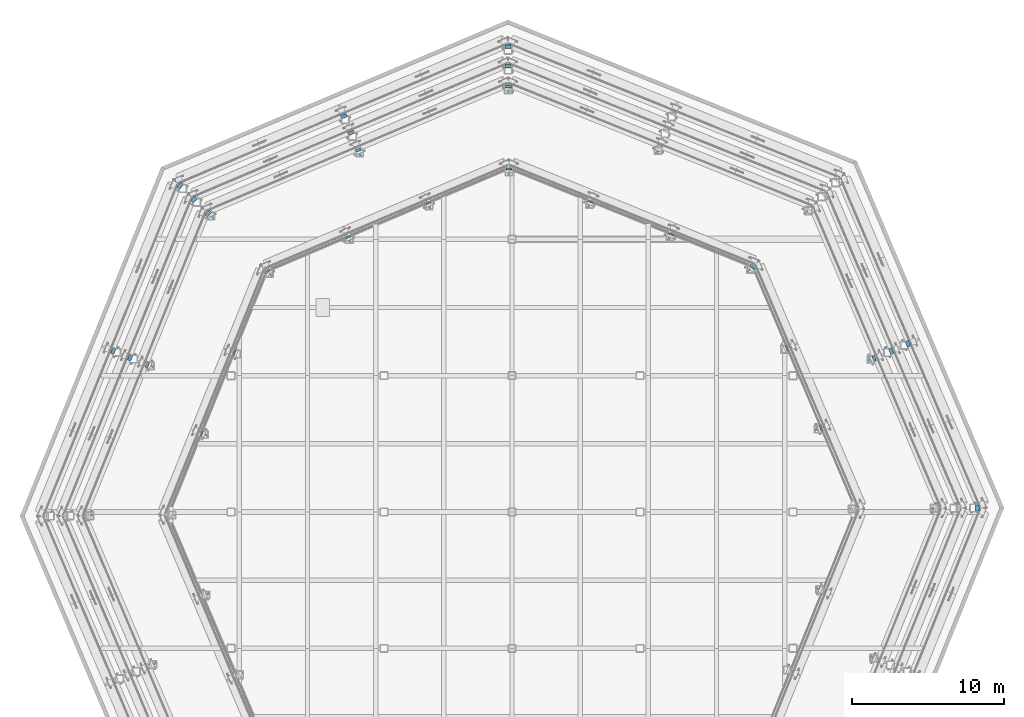
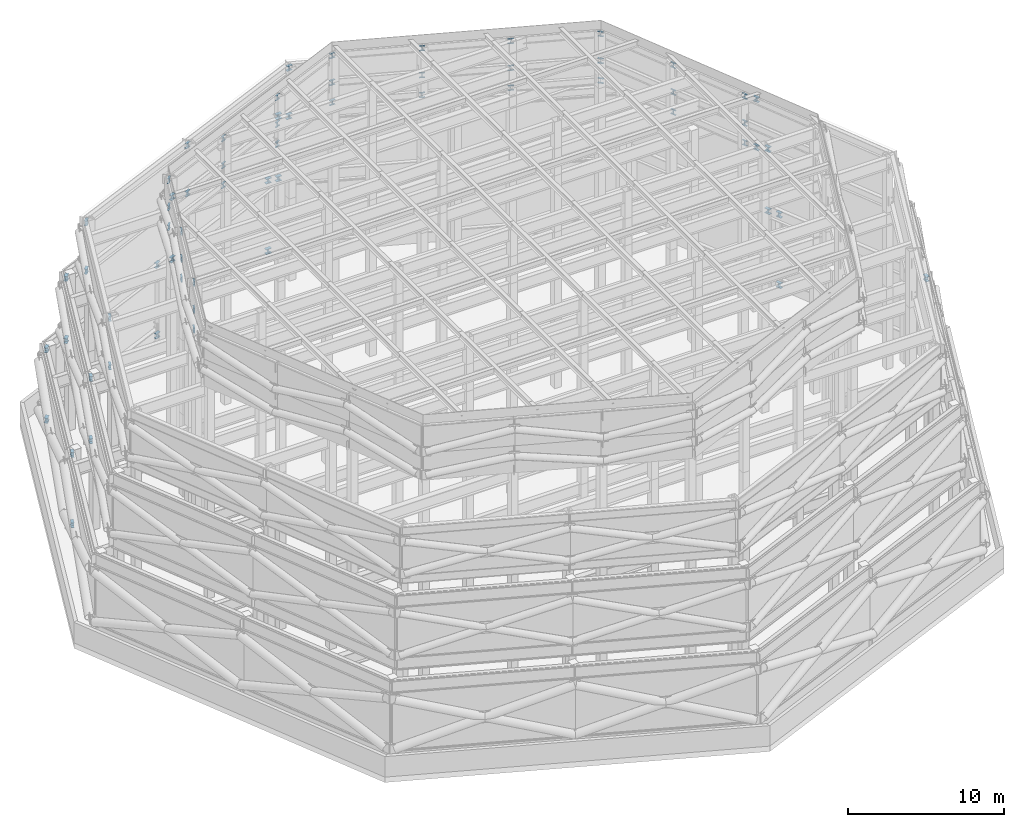
# One storey, part 15 of 19: 64 members.
"""IFC4 building model written with IfcOpenShell, lengths in metres."""

from ifc_helpers import new_model, si_unit, direction, frame, origin, origin_2d, place, context, subcontext, project, spatial, i_section, extrude, material, material_profile, profile_set, type_object, element, save


model = new_model("IFC4")

# Units and contexts
model_context = context("Model", 3, precision=1e-05, world=origin(), true_north=direction((0.0, 1.0)))
body_context = subcontext(model_context, "Body", "Model", "MODEL_VIEW")
ifc_project = project(units=[si_unit("LENGTHUNIT", "METRE"), si_unit("AREAUNIT", "SQUARE_METRE"), si_unit("VOLUMEUNIT", "CUBIC_METRE"), si_unit("PLANEANGLEUNIT", "RADIAN"), si_unit("MASSUNIT", "GRAM", prefix="KILO")], contexts=[model_context])

# Site, building, storey
site_placement = place(None, origin())
site = spatial("IfcSite", under=ifc_project, at=site_placement, CompositionType="ELEMENT")
building_placement = place(site_placement, origin())
building = spatial("IfcBuilding", under=site, at=building_placement, Name="Orlundy Tower", CompositionType="ELEMENT")
storey_placement = place(building_placement, frame((0.0, 0.0, 304.300048828125)))
storey = spatial("IfcBuildingStorey", under=building, at=storey_placement, Name="Roof", CompositionType="ELEMENT", Elevation=304.300048828125)

# Members
ifc_material = material(Name="Steel ASTM A992 Gr 50", Category="steel")
ifc_material_profile = material_profile(ifc_material, i_section(OverallWidth=0.39892578125, OverallDepth=0.393310546875, WebThickness=0.022705078125, FlangeThickness=0.03662109375, at=origin_2d()), Name="W14X193")
ifc_profile_set = profile_set([ifc_material_profile], Name="Steel ASTM A992 Gr 50")
member_type = type_object("IfcMemberType", Name="CROWN FRAME strut W14X193", PredefinedType="STRUT", material=ifc_profile_set)
member_1_placement = place(storey_placement, frame((-0.26708984375, 30.5908203125, 0.533935546875), z_axis=(-0.009026713466, 0.999959258392, 0.0), x_axis=(-0.999959258392, -0.009026713466, 0.0)))
element("IfcMember", 1, at=member_1_placement, inside=storey, type_object=member_type, Name="CROWN FRAME foot ring connector 1-03", PredefinedType="STRUT", context=body_context, shape_type="SweptSolid", body=[
    extrude(i_section(OverallWidth=0.39892578125, OverallDepth=0.393310546875, WebThickness=0.022705078125, FlangeThickness=0.03662109375, at=origin_2d()), origin(), (0.0, 0.0, 1.0), 0.243408203125),
])
member_2_placement = place(storey_placement, frame((-11.04736328125, 26.025390625, 0.533935546875), z_axis=(-0.390083856473, 0.920779335628, 0.0), x_axis=(-0.920779335628, -0.390083856473, 0.0)))
element("IfcMember", 2, at=member_2_placement, inside=storey, type_object=member_type, Name="CROWN FRAME foot ring connector 1-04", PredefinedType="STRUT", context=body_context, shape_type="SweptSolid", body=[
    extrude(i_section(OverallWidth=0.39892578125, OverallDepth=0.393310546875, WebThickness=0.022705078125, FlangeThickness=0.03662109375, at=origin_2d()), origin(), (0.0, 0.0, 1.0), 0.21533203125),
])
member_3_placement = place(storey_placement, frame((-21.81982421875, 21.442138671875, 0.533935546875), z_axis=(-0.713591298906, 0.700562244291, 0.0), x_axis=(-0.700562244291, -0.713591298906, 0.0)))
element("IfcMember", 3, at=member_3_placement, inside=storey, type_object=member_type, Name="CROWN FRAME foot ring connector 1-05", PredefinedType="STRUT", context=body_context, shape_type="SweptSolid", body=[
    extrude(i_section(OverallWidth=0.39892578125, OverallDepth=0.393310546875, WebThickness=0.022705078125, FlangeThickness=0.03662109375, at=origin_2d()), origin(), (0.0, 0.0, 1.0), 0.24365234375),
])
for number, where, z_axis, x_axis, name in (
    (4, (-26.21435546875, 10.591064453125, 0.533935546875), (-0.926984343813, 0.375100021763, 0.0), (-0.375100021763, -0.926984343813, 0.0), "CROWN FRAME foot ring connector 1-06"),
    (5, (26.025390625, 11.04736328125, 0.533935546875), (0.920779335628, 0.390083856473, 0.0), (-0.390083856473, 0.920779335628, 0.0), "CROWN FRAME foot ring connector 1-16"),
):
    element("IfcMember", number, at=place(storey_placement, frame(where, z_axis=z_axis, x_axis=x_axis)), inside=storey, type_object=member_type, Name=name, PredefinedType="STRUT", context=body_context, shape_type="SweptSolid", body=[
        extrude(i_section(OverallWidth=0.39892578125, OverallDepth=0.393310546875, WebThickness=0.022705078125, FlangeThickness=0.03662109375, at=origin_2d()), origin(), (0.0, 0.0, 1.0), 0.21533203125),
    ])
member_4_placement = place(storey_placement, frame((-0.26708984375, 30.5908203125, 6.0263671875), z_axis=(-0.008892928967, 0.999960457125, 0.0), x_axis=(-0.999960457125, -0.008892928967, 0.0)))
element("IfcMember", 6, at=member_4_placement, inside=storey, type_object=member_type, Name="CROWN FRAME head ring connector 1-03", PredefinedType="STRUT", context=body_context, shape_type="SweptSolid", body=[
    extrude(i_section(OverallWidth=0.39892578125, OverallDepth=0.393310546875, WebThickness=0.022705078125, FlangeThickness=0.03662109375, at=origin_2d()), origin(), (0.0, 0.0, 1.0), 0.2470703125),
])
member_5_placement = place(storey_placement, frame((-11.04736328125, 26.025390625, 6.0263671875), z_axis=(-0.390951409585, 0.920411318566, 0.0), x_axis=(-0.920411318566, -0.390951409585, 0.0)))
element("IfcMember", 7, at=member_5_placement, inside=storey, type_object=member_type, Name="CROWN FRAME head ring connector 1-04", PredefinedType="STRUT", context=body_context, shape_type="SweptSolid", body=[
    extrude(i_section(OverallWidth=0.39892578125, OverallDepth=0.393310546875, WebThickness=0.022705078125, FlangeThickness=0.03662109375, at=origin_2d()), origin(), (0.0, 0.0, 1.0), 0.218505859375),
])
member_6_placement = place(storey_placement, frame((-21.81982421875, 21.442138671875, 6.0263671875), z_axis=(-0.713501090802, 0.700654118253, 0.0), x_axis=(-0.700654118253, -0.713501090802, 0.0)))
element("IfcMember", 8, at=member_6_placement, inside=storey, type_object=member_type, Name="CROWN FRAME head ring connector 1-05", PredefinedType="STRUT", context=body_context, shape_type="SweptSolid", body=[
    extrude(i_section(OverallWidth=0.39892578125, OverallDepth=0.393310546875, WebThickness=0.022705078125, FlangeThickness=0.03662109375, at=origin_2d()), origin(), (0.0, 0.0, 1.0), 0.2470703125),
])
member_7_placement = place(storey_placement, frame((-26.21435546875, 10.591064453125, 6.0263671875), z_axis=(-0.92692831694, 0.375238451195, 0.0), x_axis=(-0.375238451195, -0.92692831694, 0.0)))
element("IfcMember", 9, at=member_7_placement, inside=storey, type_object=member_type, Name="CROWN FRAME head ring connector 1-06", PredefinedType="STRUT", context=body_context, shape_type="SweptSolid", body=[
    extrude(i_section(OverallWidth=0.39892578125, OverallDepth=0.393310546875, WebThickness=0.022705078125, FlangeThickness=0.03662109375, at=origin_2d()), origin(), (0.0, 0.0, 1.0), 0.218505859375),
])
member_8_placement = place(storey_placement, frame((30.5908203125, 0.26708984375, 6.0263671875), z_axis=(0.999960457125, 0.008892928967, 0.0), x_axis=(-0.008892928967, 0.999960457125, 0.0)))
element("IfcMember", 10, at=member_8_placement, inside=storey, type_object=member_type, Name="CROWN FRAME head ring connector 1-15", PredefinedType="STRUT", context=body_context, shape_type="SweptSolid", body=[
    extrude(i_section(OverallWidth=0.39892578125, OverallDepth=0.393310546875, WebThickness=0.022705078125, FlangeThickness=0.03662109375, at=origin_2d()), origin(), (0.0, 0.0, 1.0), 0.2470703125),
])
member_9_placement = place(storey_placement, frame((26.025390625, 11.04736328125, 6.0263671875), z_axis=(0.920411318566, 0.390951409585, 0.0), x_axis=(-0.390951409585, 0.920411318566, 0.0)))
element("IfcMember", 11, at=member_9_placement, inside=storey, type_object=member_type, Name="CROWN FRAME head ring connector 1-16", PredefinedType="STRUT", context=body_context, shape_type="SweptSolid", body=[
    extrude(i_section(OverallWidth=0.39892578125, OverallDepth=0.393310546875, WebThickness=0.022705078125, FlangeThickness=0.03662109375, at=origin_2d()), origin(), (0.0, 0.0, 1.0), 0.218505859375),
])
member_10_placement = place(storey_placement, frame((-0.255859375, 29.2919921875, 6.9736328125), z_axis=(-0.007904891351, 0.999968755858, 0.0), x_axis=(-0.999968755858, -0.007904891351, 0.0)))
element("IfcMember", 12, at=member_10_placement, inside=storey, type_object=member_type, Name="CROWN FRAME foot ring connector 2-03", PredefinedType="STRUT", context=body_context, shape_type="SweptSolid", body=[
    extrude(i_section(OverallWidth=0.39892578125, OverallDepth=0.393310546875, WebThickness=0.022705078125, FlangeThickness=0.03662109375, at=origin_2d()), origin(), (0.0, 0.0, 1.0), 0.2470703125),
])
member_11_placement = place(storey_placement, frame((-10.578369140625, 24.9208984375, 6.9736328125), z_axis=(-0.391353724227, 0.920240328682, 0.0), x_axis=(-0.920240328682, -0.391353724227, 0.0)))
element("IfcMember", 13, at=member_11_placement, inside=storey, type_object=member_type, Name="CROWN FRAME foot ring connector 2-04", PredefinedType="STRUT", context=body_context, shape_type="SweptSolid", body=[
    extrude(i_section(OverallWidth=0.39892578125, OverallDepth=0.393310546875, WebThickness=0.022705078125, FlangeThickness=0.03662109375, at=origin_2d()), origin(), (0.0, 0.0, 1.0), 0.21826171875),
])
member_12_placement = place(storey_placement, frame((-20.8935546875, 20.53173828125, 6.9736328125), z_axis=(-0.713015439878, 0.701148331308, 0.0), x_axis=(-0.701148331308, -0.713015439878, 0.0)))
element("IfcMember", 14, at=member_12_placement, inside=storey, type_object=member_type, Name="CROWN FRAME foot ring connector 2-05", PredefinedType="STRUT", context=body_context, shape_type="SweptSolid", body=[
    extrude(i_section(OverallWidth=0.39892578125, OverallDepth=0.393310546875, WebThickness=0.022705078125, FlangeThickness=0.03662109375, at=origin_2d()), origin(), (0.0, 0.0, 1.0), 0.246826171875),
])
for number, where, z_axis, x_axis, name in (
    (15, (-25.101806640625, 10.1416015625, 6.9736328125), (-0.927159667868, 0.374666452033, 0.0), (-0.374666452033, -0.927159667868, 0.0), "CROWN FRAME foot ring connector 2-06"),
    (16, (24.9208984375, 10.578369140625, 6.9736328125), (0.920240328682, 0.391353724227, 0.0), (-0.391353724227, 0.920240328682, 0.0), "CROWN FRAME foot ring connector 2-16"),
):
    element("IfcMember", number, at=place(storey_placement, frame(where, z_axis=z_axis, x_axis=x_axis)), inside=storey, type_object=member_type, Name=name, PredefinedType="STRUT", context=body_context, shape_type="SweptSolid", body=[
        extrude(i_section(OverallWidth=0.39892578125, OverallDepth=0.393310546875, WebThickness=0.022705078125, FlangeThickness=0.03662109375, at=origin_2d()), origin(), (0.0, 0.0, 1.0), 0.21826171875),
    ])
member_13_placement = place(storey_placement, frame((-0.255859375, 29.2919921875, 11.826416015625), z_axis=(-0.007904891351, 0.999968755858, 0.0), x_axis=(-0.999968755858, -0.007904891351, 0.0)))
element("IfcMember", 17, at=member_13_placement, inside=storey, type_object=member_type, Name="CROWN FRAME head ring connector 2-03", PredefinedType="STRUT", context=body_context, shape_type="SweptSolid", body=[
    extrude(i_section(OverallWidth=0.39892578125, OverallDepth=0.393310546875, WebThickness=0.022705078125, FlangeThickness=0.03662109375, at=origin_2d()), origin(), (0.0, 0.0, 1.0), 0.2470703125),
])
member_14_placement = place(storey_placement, frame((-10.578369140625, 24.9208984375, 11.826416015625), z_axis=(-0.391353724227, 0.920240328682, 0.0), x_axis=(-0.920240328682, -0.391353724227, 0.0)))
element("IfcMember", 18, at=member_14_placement, inside=storey, type_object=member_type, Name="CROWN FRAME head ring connector 2-04", PredefinedType="STRUT", context=body_context, shape_type="SweptSolid", body=[
    extrude(i_section(OverallWidth=0.39892578125, OverallDepth=0.393310546875, WebThickness=0.022705078125, FlangeThickness=0.03662109375, at=origin_2d()), origin(), (0.0, 0.0, 1.0), 0.21826171875),
])
member_15_placement = place(storey_placement, frame((-20.8935546875, 20.53173828125, 11.826416015625), z_axis=(-0.713015439878, 0.701148331308, 0.0), x_axis=(-0.701148331308, -0.713015439878, 0.0)))
element("IfcMember", 19, at=member_15_placement, inside=storey, type_object=member_type, Name="CROWN FRAME head ring connector 2-05", PredefinedType="STRUT", context=body_context, shape_type="SweptSolid", body=[
    extrude(i_section(OverallWidth=0.39892578125, OverallDepth=0.393310546875, WebThickness=0.022705078125, FlangeThickness=0.03662109375, at=origin_2d()), origin(), (0.0, 0.0, 1.0), 0.246826171875),
])
for number, where, z_axis, x_axis, name in (
    (20, (-25.101806640625, 10.1416015625, 11.826416015625), (-0.927159667868, 0.374666452033, 0.0), (-0.374666452033, -0.927159667868, 0.0), "CROWN FRAME head ring connector 2-06"),
    (21, (24.9208984375, 10.578369140625, 11.826416015625), (0.920240328682, 0.391353724227, 0.0), (-0.391353724227, 0.920240328682, 0.0), "CROWN FRAME head ring connector 2-16"),
):
    element("IfcMember", number, at=place(storey_placement, frame(where, z_axis=z_axis, x_axis=x_axis)), inside=storey, type_object=member_type, Name=name, PredefinedType="STRUT", context=body_context, shape_type="SweptSolid", body=[
        extrude(i_section(OverallWidth=0.39892578125, OverallDepth=0.393310546875, WebThickness=0.022705078125, FlangeThickness=0.03662109375, at=origin_2d()), origin(), (0.0, 0.0, 1.0), 0.21826171875),
    ])
member_16_placement = place(storey_placement, frame((-0.244384765625, 27.9931640625, 12.617431640625), z_axis=(-0.008716978885, 0.999962006418, 0.0), x_axis=(-0.999962006418, -0.008716978885, 0.0)))
element("IfcMember", 22, at=member_16_placement, inside=storey, type_object=member_type, Name="CROWN FRAME foot ring connector 3-03", PredefinedType="STRUT", context=body_context, shape_type="SweptSolid", body=[
    extrude(i_section(OverallWidth=0.39892578125, OverallDepth=0.393310546875, WebThickness=0.022705078125, FlangeThickness=0.03662109375, at=origin_2d()), origin(), (0.0, 0.0, 1.0), 0.196044921875),
])
member_17_placement = place(storey_placement, frame((-10.109619140625, 23.816162109375, 12.617431640625), z_axis=(-0.389964970122, 0.920829692222, 0.0), x_axis=(-0.920829692222, -0.389964970122, 0.0)))
element("IfcMember", 23, at=member_17_placement, inside=storey, type_object=member_type, Name="CROWN FRAME foot ring connector 3-04", PredefinedType="STRUT", context=body_context, shape_type="SweptSolid", body=[
    extrude(i_section(OverallWidth=0.39892578125, OverallDepth=0.393310546875, WebThickness=0.022705078125, FlangeThickness=0.03662109375, at=origin_2d()), origin(), (0.0, 0.0, 1.0), 0.171630859375),
])
member_18_placement = place(storey_placement, frame((-19.967041015625, 19.621337890625, 12.617431640625), z_axis=(-0.713303676443, 0.700855095703, 0.0), x_axis=(-0.700855095703, -0.713303676443, 0.0)))
element("IfcMember", 24, at=member_18_placement, inside=storey, type_object=member_type, Name="CROWN FRAME foot ring connector 3-05", PredefinedType="STRUT", context=body_context, shape_type="SweptSolid", body=[
    extrude(i_section(OverallWidth=0.39892578125, OverallDepth=0.393310546875, WebThickness=0.022705078125, FlangeThickness=0.03662109375, at=origin_2d()), origin(), (0.0, 0.0, 1.0), 0.196044921875),
])
for number, where, z_axis, x_axis, name in (
    (25, (-23.989013671875, 9.692138671875, 12.617431640625), (-0.927393722821, 0.374086731751, 0.0), (-0.374086731751, -0.927393722821, 0.0), "CROWN FRAME foot ring connector 3-06"),
    (26, (23.816162109375, 10.109619140625, 12.617431640625), (0.920829692222, 0.389964970122, 0.0), (-0.389964970122, 0.920829692222, 0.0), "CROWN FRAME foot ring connector 3-16"),
):
    element("IfcMember", number, at=place(storey_placement, frame(where, z_axis=z_axis, x_axis=x_axis)), inside=storey, type_object=member_type, Name=name, PredefinedType="STRUT", context=body_context, shape_type="SweptSolid", body=[
        extrude(i_section(OverallWidth=0.39892578125, OverallDepth=0.393310546875, WebThickness=0.022705078125, FlangeThickness=0.03662109375, at=origin_2d()), origin(), (0.0, 0.0, 1.0), 0.171630859375),
    ])
member_19_placement = place(storey_placement, frame((-0.244384765625, 27.9931640625, 16.382568359375), z_axis=(-0.008716978885, 0.999962006418, 0.0), x_axis=(-0.999962006418, -0.008716978885, 0.0)))
element("IfcMember", 27, at=member_19_placement, inside=storey, type_object=member_type, Name="CROWN FRAME head ring connector 3-03", PredefinedType="STRUT", context=body_context, shape_type="SweptSolid", body=[
    extrude(i_section(OverallWidth=0.39892578125, OverallDepth=0.393310546875, WebThickness=0.022705078125, FlangeThickness=0.03662109375, at=origin_2d()), origin(), (0.0, 0.0, 1.0), 0.196044921875),
])
member_20_placement = place(storey_placement, frame((-10.109619140625, 23.816162109375, 16.382568359375), z_axis=(-0.389964970122, 0.920829692222, 0.0), x_axis=(-0.920829692222, -0.389964970122, 0.0)))
element("IfcMember", 28, at=member_20_placement, inside=storey, type_object=member_type, Name="CROWN FRAME head ring connector 3-04", PredefinedType="STRUT", context=body_context, shape_type="SweptSolid", body=[
    extrude(i_section(OverallWidth=0.39892578125, OverallDepth=0.393310546875, WebThickness=0.022705078125, FlangeThickness=0.03662109375, at=origin_2d()), origin(), (0.0, 0.0, 1.0), 0.171630859375),
])
member_21_placement = place(storey_placement, frame((-19.967041015625, 19.621337890625, 16.382568359375), z_axis=(-0.713303676443, 0.700855095703, 0.0), x_axis=(-0.700855095703, -0.713303676443, 0.0)))
element("IfcMember", 29, at=member_21_placement, inside=storey, type_object=member_type, Name="CROWN FRAME head ring connector 3-05", PredefinedType="STRUT", context=body_context, shape_type="SweptSolid", body=[
    extrude(i_section(OverallWidth=0.39892578125, OverallDepth=0.393310546875, WebThickness=0.022705078125, FlangeThickness=0.03662109375, at=origin_2d()), origin(), (0.0, 0.0, 1.0), 0.196044921875),
])
for number, where, z_axis, x_axis, name in (
    (30, (-23.989013671875, 9.692138671875, 16.382568359375), (-0.927393722821, 0.374086731751, 0.0), (-0.374086731751, -0.927393722821, 0.0), "CROWN FRAME head ring connector 3-06"),
    (31, (23.816162109375, 10.109619140625, 16.382568359375), (0.920829692222, 0.389964970122, 0.0), (-0.389964970122, 0.920829692222, 0.0), "CROWN FRAME head ring connector 3-16"),
):
    element("IfcMember", number, at=place(storey_placement, frame(where, z_axis=z_axis, x_axis=x_axis)), inside=storey, type_object=member_type, Name=name, PredefinedType="STRUT", context=body_context, shape_type="SweptSolid", body=[
        extrude(i_section(OverallWidth=0.39892578125, OverallDepth=0.393310546875, WebThickness=0.022705078125, FlangeThickness=0.03662109375, at=origin_2d()), origin(), (0.0, 0.0, 1.0), 0.171630859375),
    ])
member_22_placement = place(storey_placement, frame((15.828125, 16.10693359375, 16.974365234375), z_axis=(0.700691429049, 0.713464449891, 0.0), x_axis=(-0.713464449891, 0.700691429049, 0.0)))
element("IfcMember", 32, at=member_22_placement, inside=storey, type_object=member_type, Name="CROWN FRAME foot ring connector 4-01", PredefinedType="STRUT", context=body_context, shape_type="SweptSolid", body=[
    extrude(i_section(OverallWidth=0.39892578125, OverallDepth=0.393310546875, WebThickness=0.022705078125, FlangeThickness=0.03662109375, at=origin_2d()), origin(), (0.0, 0.0, 1.0), 0.1337890625),
])
member_23_placement = place(storey_placement, frame((10.474853515625, 18.280029296875, 16.974365234375), z_axis=(0.374710857716, 0.927141722235, 0.0), x_axis=(-0.927141722235, 0.374710857716, 0.0)))
element("IfcMember", 33, at=member_23_placement, inside=storey, type_object=member_type, Name="CROWN FRAME foot ring connector 4-02", PredefinedType="STRUT", context=body_context, shape_type="SweptSolid", body=[
    extrude(i_section(OverallWidth=0.39892578125, OverallDepth=0.393310546875, WebThickness=0.022705078125, FlangeThickness=0.03662109375, at=origin_2d()), origin(), (0.0, 0.0, 1.0), 0.114013671875),
])
member_24_placement = place(storey_placement, frame((5.1630859375, 20.42626953125, 16.974365234375), z_axis=(0.375456092213, 0.926840181919, 0.0), x_axis=(-0.926840181919, 0.375456092213, 0.0)))
element("IfcMember", 34, at=member_24_placement, inside=storey, type_object=member_type, Name="CROWN FRAME foot ring connector 4-03", PredefinedType="STRUT", context=body_context, shape_type="SweptSolid", body=[
    extrude(i_section(OverallWidth=0.39892578125, OverallDepth=0.393310546875, WebThickness=0.022705078125, FlangeThickness=0.03662109375, at=origin_2d()), origin(), (0.0, 0.0, 1.0), 0.11376953125),
])
member_25_placement = place(storey_placement, frame((-0.197265625, 22.581298828125, 16.974365234375), z_axis=(-0.009123707829, 0.999958378112, 0.0), x_axis=(-0.999958378112, -0.009123707829, 0.0)))
element("IfcMember", 35, at=member_25_placement, inside=storey, type_object=member_type, Name="CROWN FRAME foot ring connector 4-04", PredefinedType="STRUT", context=body_context, shape_type="SweptSolid", body=[
    extrude(i_section(OverallWidth=0.39892578125, OverallDepth=0.393310546875, WebThickness=0.022705078125, FlangeThickness=0.03662109375, at=origin_2d()), origin(), (0.0, 0.0, 1.0), 0.1337890625),
])
for number, where, z_axis, x_axis, name in (
    (36, (-5.51904296875, 20.3330078125, 16.974365234375), (-0.392366128951, 0.919809121966, 0.0), (-0.919809121966, -0.392366128951, 0.0), "CROWN FRAME foot ring connector 4-05"),
    (37, (-10.79248046875, 18.094482421875, 16.974365234375), (-0.392366128951, 0.919809121966, 0.0), (-0.919809121966, -0.392366128951, 0.0), "CROWN FRAME foot ring connector 4-06"),
):
    element("IfcMember", number, at=place(storey_placement, frame(where, z_axis=z_axis, x_axis=x_axis)), inside=storey, type_object=member_type, Name=name, PredefinedType="STRUT", context=body_context, shape_type="SweptSolid", body=[
        extrude(i_section(OverallWidth=0.39892578125, OverallDepth=0.393310546875, WebThickness=0.022705078125, FlangeThickness=0.03662109375, at=origin_2d()), origin(), (0.0, 0.0, 1.0), 0.11376953125),
    ])
member_26_placement = place(storey_placement, frame((-16.10693359375, 15.828125, 16.974365234375), z_axis=(-0.713464449891, 0.700691429049, 0.0), x_axis=(-0.700691429049, -0.713464449891, 0.0)))
element("IfcMember", 38, at=member_26_placement, inside=storey, type_object=member_type, Name="CROWN FRAME foot ring connector 4-07", PredefinedType="STRUT", context=body_context, shape_type="SweptSolid", body=[
    extrude(i_section(OverallWidth=0.39892578125, OverallDepth=0.393310546875, WebThickness=0.022705078125, FlangeThickness=0.03662109375, at=origin_2d()), origin(), (0.0, 0.0, 1.0), 0.1337890625),
])
member_27_placement = place(storey_placement, frame((-18.280029296875, 10.474853515625, 16.974365234375), z_axis=(-0.927141722235, 0.374710857716, 0.0), x_axis=(-0.374710857716, -0.927141722235, 0.0)))
element("IfcMember", 39, at=member_27_placement, inside=storey, type_object=member_type, Name="CROWN FRAME foot ring connector 4-08", PredefinedType="STRUT", context=body_context, shape_type="SweptSolid", body=[
    extrude(i_section(OverallWidth=0.39892578125, OverallDepth=0.393310546875, WebThickness=0.022705078125, FlangeThickness=0.03662109375, at=origin_2d()), origin(), (0.0, 0.0, 1.0), 0.114013671875),
])
for number, where, z_axis, x_axis, name in (
    (40, (-20.42626953125, 5.1630859375, 16.974365234375), (-0.926840181919, 0.375456092213, 0.0), (-0.375456092213, -0.926840181919, 0.0), "CROWN FRAME foot ring connector 4-09"),
    (41, (20.3330078125, 5.51904296875, 16.974365234375), (0.919809121966, 0.392366128951, 0.0), (-0.392366128951, 0.919809121966, 0.0), "CROWN FRAME foot ring connector 4-23"),
    (42, (18.094482421875, 10.79248046875, 16.974365234375), (0.919809121966, 0.392366128951, 0.0), (-0.392366128951, 0.919809121966, 0.0), "CROWN FRAME foot ring connector 4-24"),
):
    element("IfcMember", number, at=place(storey_placement, frame(where, z_axis=z_axis, x_axis=x_axis)), inside=storey, type_object=member_type, Name=name, PredefinedType="STRUT", context=body_context, shape_type="SweptSolid", body=[
        extrude(i_section(OverallWidth=0.39892578125, OverallDepth=0.393310546875, WebThickness=0.022705078125, FlangeThickness=0.03662109375, at=origin_2d()), origin(), (0.0, 0.0, 1.0), 0.11376953125),
    ])
member_28_placement = place(storey_placement, frame((15.828125, 16.10693359375, 18.525390625), z_axis=(0.700691429049, 0.713464449891, 0.0), x_axis=(-0.713464449891, 0.700691429049, 0.0)))
element("IfcMember", 43, at=member_28_placement, inside=storey, type_object=member_type, Name="CROWN FRAME head ring connector 4-01", PredefinedType="STRUT", context=body_context, shape_type="SweptSolid", body=[
    extrude(i_section(OverallWidth=0.39892578125, OverallDepth=0.393310546875, WebThickness=0.022705078125, FlangeThickness=0.03662109375, at=origin_2d()), origin(), (0.0, 0.0, 1.0), 0.1337890625),
])
member_29_placement = place(storey_placement, frame((10.474853515625, 18.280029296875, 18.525390625), z_axis=(0.374710857716, 0.927141722235, 0.0), x_axis=(-0.927141722235, 0.374710857716, 0.0)))
element("IfcMember", 44, at=member_29_placement, inside=storey, type_object=member_type, Name="CROWN FRAME head ring connector 4-02", PredefinedType="STRUT", context=body_context, shape_type="SweptSolid", body=[
    extrude(i_section(OverallWidth=0.39892578125, OverallDepth=0.393310546875, WebThickness=0.022705078125, FlangeThickness=0.03662109375, at=origin_2d()), origin(), (0.0, 0.0, 1.0), 0.114013671875),
])
member_30_placement = place(storey_placement, frame((5.1630859375, 20.42626953125, 18.525390625), z_axis=(0.375456092213, 0.926840181919, 0.0), x_axis=(-0.926840181919, 0.375456092213, 0.0)))
element("IfcMember", 45, at=member_30_placement, inside=storey, type_object=member_type, Name="CROWN FRAME head ring connector 4-03", PredefinedType="STRUT", context=body_context, shape_type="SweptSolid", body=[
    extrude(i_section(OverallWidth=0.39892578125, OverallDepth=0.393310546875, WebThickness=0.022705078125, FlangeThickness=0.03662109375, at=origin_2d()), origin(), (0.0, 0.0, 1.0), 0.11376953125),
])
member_31_placement = place(storey_placement, frame((-0.197265625, 22.581298828125, 18.525390625), z_axis=(-0.009123707829, 0.999958378112, 0.0), x_axis=(-0.999958378112, -0.009123707829, 0.0)))
element("IfcMember", 46, at=member_31_placement, inside=storey, type_object=member_type, Name="CROWN FRAME head ring connector 4-04", PredefinedType="STRUT", context=body_context, shape_type="SweptSolid", body=[
    extrude(i_section(OverallWidth=0.39892578125, OverallDepth=0.393310546875, WebThickness=0.022705078125, FlangeThickness=0.03662109375, at=origin_2d()), origin(), (0.0, 0.0, 1.0), 0.1337890625),
])
for number, where, z_axis, x_axis, name in (
    (47, (-5.51904296875, 20.3330078125, 18.525390625), (-0.392366128951, 0.919809121966, 0.0), (-0.919809121966, -0.392366128951, 0.0), "CROWN FRAME head ring connector 4-05"),
    (48, (-10.79248046875, 18.094482421875, 18.525390625), (-0.392366128951, 0.919809121966, 0.0), (-0.919809121966, -0.392366128951, 0.0), "CROWN FRAME head ring connector 4-06"),
):
    element("IfcMember", number, at=place(storey_placement, frame(where, z_axis=z_axis, x_axis=x_axis)), inside=storey, type_object=member_type, Name=name, PredefinedType="STRUT", context=body_context, shape_type="SweptSolid", body=[
        extrude(i_section(OverallWidth=0.39892578125, OverallDepth=0.393310546875, WebThickness=0.022705078125, FlangeThickness=0.03662109375, at=origin_2d()), origin(), (0.0, 0.0, 1.0), 0.11376953125),
    ])
member_32_placement = place(storey_placement, frame((-16.10693359375, 15.828125, 18.525390625), z_axis=(-0.713464449891, 0.700691429049, 0.0), x_axis=(-0.700691429049, -0.713464449891, 0.0)))
element("IfcMember", 49, at=member_32_placement, inside=storey, type_object=member_type, Name="CROWN FRAME head ring connector 4-07", PredefinedType="STRUT", context=body_context, shape_type="SweptSolid", body=[
    extrude(i_section(OverallWidth=0.39892578125, OverallDepth=0.393310546875, WebThickness=0.022705078125, FlangeThickness=0.03662109375, at=origin_2d()), origin(), (0.0, 0.0, 1.0), 0.1337890625),
])
member_33_placement = place(storey_placement, frame((-18.280029296875, 10.474853515625, 18.525390625), z_axis=(-0.927141722235, 0.374710857716, 0.0), x_axis=(-0.374710857716, -0.927141722235, 0.0)))
element("IfcMember", 50, at=member_33_placement, inside=storey, type_object=member_type, Name="CROWN FRAME head ring connector 4-08", PredefinedType="STRUT", context=body_context, shape_type="SweptSolid", body=[
    extrude(i_section(OverallWidth=0.39892578125, OverallDepth=0.393310546875, WebThickness=0.022705078125, FlangeThickness=0.03662109375, at=origin_2d()), origin(), (0.0, 0.0, 1.0), 0.114013671875),
])
for number, where, z_axis, x_axis, name in (
    (51, (-20.42626953125, 5.1630859375, 18.525390625), (-0.926840181919, 0.375456092213, 0.0), (-0.375456092213, -0.926840181919, 0.0), "CROWN FRAME head ring connector 4-09"),
    (52, (20.3330078125, 5.51904296875, 18.525390625), (0.919809121966, 0.392366128951, 0.0), (-0.392366128951, 0.919809121966, 0.0), "CROWN FRAME head ring connector 4-23"),
    (53, (18.094482421875, 10.79248046875, 18.525390625), (0.919809121966, 0.392366128951, 0.0), (-0.392366128951, 0.919809121966, 0.0), "CROWN FRAME head ring connector 4-24"),
):
    element("IfcMember", number, at=place(storey_placement, frame(where, z_axis=z_axis, x_axis=x_axis)), inside=storey, type_object=member_type, Name=name, PredefinedType="STRUT", context=body_context, shape_type="SweptSolid", body=[
        extrude(i_section(OverallWidth=0.39892578125, OverallDepth=0.393310546875, WebThickness=0.022705078125, FlangeThickness=0.03662109375, at=origin_2d()), origin(), (0.0, 0.0, 1.0), 0.11376953125),
    ])
member_34_placement = place(storey_placement, frame((15.828125, 16.10693359375, 20.62548828125), z_axis=(0.700691429049, 0.713464449891, 0.0), x_axis=(-0.713464449891, 0.700691429049, 0.0)))
element("IfcMember", 54, at=member_34_placement, inside=storey, type_object=member_type, Name="CROWN FRAME head ring connector 5-01", PredefinedType="STRUT", context=body_context, shape_type="SweptSolid", body=[
    extrude(i_section(OverallWidth=0.39892578125, OverallDepth=0.393310546875, WebThickness=0.022705078125, FlangeThickness=0.03662109375, at=origin_2d()), origin(), (0.0, 0.0, 1.0), 0.1337890625),
])
member_35_placement = place(storey_placement, frame((10.474853515625, 18.280029296875, 20.62548828125), z_axis=(0.374710857716, 0.927141722235, 0.0), x_axis=(-0.927141722235, 0.374710857716, 0.0)))
element("IfcMember", 55, at=member_35_placement, inside=storey, type_object=member_type, Name="CROWN FRAME head ring connector 5-02", PredefinedType="STRUT", context=body_context, shape_type="SweptSolid", body=[
    extrude(i_section(OverallWidth=0.39892578125, OverallDepth=0.393310546875, WebThickness=0.022705078125, FlangeThickness=0.03662109375, at=origin_2d()), origin(), (0.0, 0.0, 1.0), 0.114013671875),
])
member_36_placement = place(storey_placement, frame((5.1630859375, 20.42626953125, 20.62548828125), z_axis=(0.375456092213, 0.926840181919, 0.0), x_axis=(-0.926840181919, 0.375456092213, 0.0)))
element("IfcMember", 56, at=member_36_placement, inside=storey, type_object=member_type, Name="CROWN FRAME head ring connector 5-03", PredefinedType="STRUT", context=body_context, shape_type="SweptSolid", body=[
    extrude(i_section(OverallWidth=0.39892578125, OverallDepth=0.393310546875, WebThickness=0.022705078125, FlangeThickness=0.03662109375, at=origin_2d()), origin(), (0.0, 0.0, 1.0), 0.11376953125),
])
member_37_placement = place(storey_placement, frame((-0.197265625, 22.581298828125, 20.62548828125), z_axis=(-0.009123707829, 0.999958378112, 0.0), x_axis=(-0.999958378112, -0.009123707829, 0.0)))
element("IfcMember", 57, at=member_37_placement, inside=storey, type_object=member_type, Name="CROWN FRAME head ring connector 5-04", PredefinedType="STRUT", context=body_context, shape_type="SweptSolid", body=[
    extrude(i_section(OverallWidth=0.39892578125, OverallDepth=0.393310546875, WebThickness=0.022705078125, FlangeThickness=0.03662109375, at=origin_2d()), origin(), (0.0, 0.0, 1.0), 0.1337890625),
])
for number, where, z_axis, x_axis, name in (
    (58, (-5.51904296875, 20.3330078125, 20.62548828125), (-0.392366128951, 0.919809121966, 0.0), (-0.919809121966, -0.392366128951, 0.0), "CROWN FRAME head ring connector 5-05"),
    (59, (-10.79248046875, 18.094482421875, 20.62548828125), (-0.392366128951, 0.919809121966, 0.0), (-0.919809121966, -0.392366128951, 0.0), "CROWN FRAME head ring connector 5-06"),
):
    element("IfcMember", number, at=place(storey_placement, frame(where, z_axis=z_axis, x_axis=x_axis)), inside=storey, type_object=member_type, Name=name, PredefinedType="STRUT", context=body_context, shape_type="SweptSolid", body=[
        extrude(i_section(OverallWidth=0.39892578125, OverallDepth=0.393310546875, WebThickness=0.022705078125, FlangeThickness=0.03662109375, at=origin_2d()), origin(), (0.0, 0.0, 1.0), 0.11376953125),
    ])
member_38_placement = place(storey_placement, frame((-16.10693359375, 15.828125, 20.62548828125), z_axis=(-0.713464449891, 0.700691429049, 0.0), x_axis=(-0.700691429049, -0.713464449891, 0.0)))
element("IfcMember", 60, at=member_38_placement, inside=storey, type_object=member_type, Name="CROWN FRAME head ring connector 5-07", PredefinedType="STRUT", context=body_context, shape_type="SweptSolid", body=[
    extrude(i_section(OverallWidth=0.39892578125, OverallDepth=0.393310546875, WebThickness=0.022705078125, FlangeThickness=0.03662109375, at=origin_2d()), origin(), (0.0, 0.0, 1.0), 0.1337890625),
])
member_39_placement = place(storey_placement, frame((-18.280029296875, 10.474853515625, 20.62548828125), z_axis=(-0.927141722235, 0.374710857716, 0.0), x_axis=(-0.374710857716, -0.927141722235, 0.0)))
element("IfcMember", 61, at=member_39_placement, inside=storey, type_object=member_type, Name="CROWN FRAME head ring connector 5-08", PredefinedType="STRUT", context=body_context, shape_type="SweptSolid", body=[
    extrude(i_section(OverallWidth=0.39892578125, OverallDepth=0.393310546875, WebThickness=0.022705078125, FlangeThickness=0.03662109375, at=origin_2d()), origin(), (0.0, 0.0, 1.0), 0.114013671875),
])
for number, where, z_axis, x_axis, name in (
    (62, (-20.42626953125, 5.1630859375, 20.62548828125), (-0.926840181919, 0.375456092213, 0.0), (-0.375456092213, -0.926840181919, 0.0), "CROWN FRAME head ring connector 5-09"),
    (63, (20.3330078125, 5.51904296875, 20.62548828125), (0.919809121966, 0.392366128951, 0.0), (-0.392366128951, 0.919809121966, 0.0), "CROWN FRAME head ring connector 5-23"),
    (64, (18.094482421875, 10.79248046875, 20.62548828125), (0.919809121966, 0.392366128951, 0.0), (-0.392366128951, 0.919809121966, 0.0), "CROWN FRAME head ring connector 5-24"),
):
    element("IfcMember", number, at=place(storey_placement, frame(where, z_axis=z_axis, x_axis=x_axis)), inside=storey, type_object=member_type, Name=name, PredefinedType="STRUT", context=body_context, shape_type="SweptSolid", body=[
        extrude(i_section(OverallWidth=0.39892578125, OverallDepth=0.393310546875, WebThickness=0.022705078125, FlangeThickness=0.03662109375, at=origin_2d()), origin(), (0.0, 0.0, 1.0), 0.11376953125),
    ])

save(model, "model.ifc")
